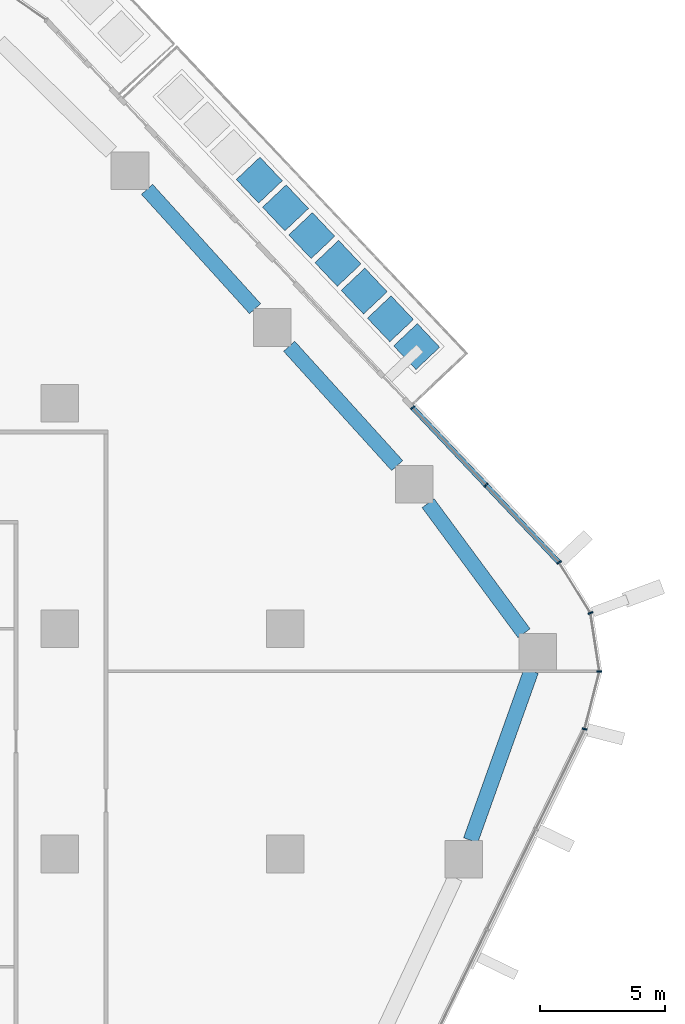
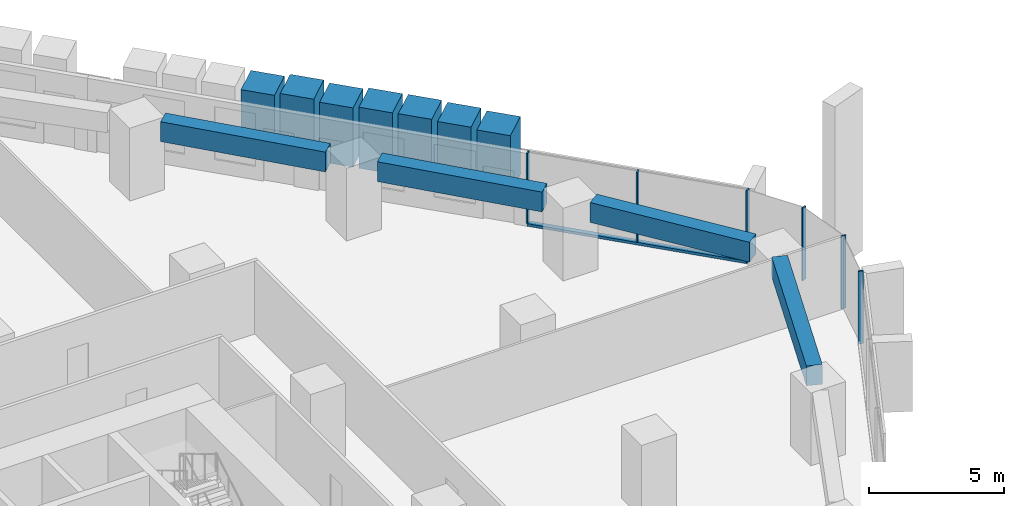
# One storey, part 8 of 25: 14 members, 4 beams, 2 elements without a shape of their own.
"""IFC4 building model written with IfcOpenShell, lengths in metres."""

from ifc_helpers import new_model, si_unit, direction, frame, origin, origin_2d, place, context, subcontext, project, spatial, rectangle, extrude, material, layer, layer_set, material_profile, profile_set, type_object, element, aggregate, save


model = new_model("IFC4")

# Units and contexts
model_context = context("Model", 3, precision=1e-05, world=origin(), true_north=direction((0.0, 1.0)))
body_context = subcontext(model_context, "Body", "Model", "MODEL_VIEW")
ifc_project = project(units=[si_unit("LENGTHUNIT", "METRE"), si_unit("AREAUNIT", "SQUARE_METRE"), si_unit("VOLUMEUNIT", "CUBIC_METRE"), si_unit("PLANEANGLEUNIT", "RADIAN"), si_unit("MASSUNIT", "GRAM", prefix="KILO")], contexts=[model_context])

# Site, building, storey
site_placement = place(None, origin())
site = spatial("IfcSite", under=ifc_project, at=site_placement, CompositionType="ELEMENT")
building_placement = place(site_placement, origin())
building = spatial("IfcBuilding", under=site, at=building_placement, Name="Dongbaek Canopy Tower", CompositionType="ELEMENT")
storey_placement = place(building_placement, frame((0.0, 0.0, 77.300048828125)))
storey = spatial("IfcBuildingStorey", under=building, at=storey_placement, Name="L15", CompositionType="ELEMENT", Elevation=77.300048828125)

# Curtain wall, members
ifc_material_1 = material(Name="Aluminium 6063-T6 pale anodised", Category="aluminium")
ifc_layer = layer(ifc_material_1, 0.199951171875)
ifc_layer_set = layer_set([ifc_layer], Name="CW-1 unitised tower curtain wall")
curtain_wall_type = type_object("IfcCurtainWallType", Name="CW-1 unitised tower curtain wall", PredefinedType="NOTDEFINED", material=ifc_layer_set)
curtain_wall_1_placement = place(storey_placement, origin())
curtain_wall_1 = element("IfcCurtainWall", 1, at=curtain_wall_1_placement, inside=storey, type_object=curtain_wall_type, Name="CW-1 curtain wall K0.1", PredefinedType="NOTDEFINED")
ifc_material_2 = material(Name="Aluminium 6063-T6 pale anodised", Category="aluminium")
ifc_material_profile_1 = material_profile(ifc_material_2, rectangle(XDim=0.199951171875, YDim=0.06005859375, at=origin_2d()), Name="CW-1 mullion 60 x 200")
ifc_profile_set_1 = profile_set([ifc_material_profile_1], Name="Aluminium 6063-T6 pale anodised")
member_type_1 = type_object("IfcMemberType", Name="CW-1 mullion 60 x 200", PredefinedType="MULLION", material=ifc_profile_set_1)
member_1_placement = place(storey_placement, frame((38.9638671875, 4.99072265625, 0.0), z_axis=(0.0, 0.0, 1.0), x_axis=(0.968574939912, -0.248721904492, 0.0)))
member_1 = element("IfcMember", 2, at=member_1_placement, type_object=member_type_1, Name="CW-1 mullion K0.1.1", PredefinedType="MULLION", context=body_context, shape_type="SweptSolid", body=[
    extrude(rectangle(XDim=0.199951171875, YDim=0.06005859375, at=origin_2d()), origin(), (0.0, 0.0, 1.0), 3.300048828125),
])
member_2_placement = place(storey_placement, frame((39.554443359375, 7.290283203125, 0.0), z_axis=(0.0, 0.0, 1.0), x_axis=(0.998769355968, -0.049596104469, 0.0)))
member_2 = element("IfcMember", 3, at=member_2_placement, type_object=member_type_1, Name="CW-1 mullion K0.1.2", PredefinedType="MULLION", context=body_context, shape_type="SweptSolid", body=[
    extrude(rectangle(XDim=0.199951171875, YDim=0.06005859375, at=origin_2d()), origin(), (0.0, 0.0, 1.0), 3.300048828125),
])
member_3_placement = place(storey_placement, frame((39.1962890625, 9.62646484375, 0.0), z_axis=(0.0, 0.0, 1.0), x_axis=(0.938038127349, 0.346532064374, 0.0)))
member_3 = element("IfcMember", 4, at=member_3_placement, type_object=member_type_1, Name="CW-1 mullion K0.1.3", PredefinedType="MULLION", context=body_context, shape_type="SweptSolid", body=[
    extrude(rectangle(XDim=0.199951171875, YDim=0.06005859375, at=origin_2d()), origin(), (0.0, 0.0, 1.0), 3.300048828125),
])
member_4_placement = place(storey_placement, frame((37.944091796875, 11.643310546875, 0.0), z_axis=(0.0, 0.0, 1.0), x_axis=(0.849575910562, 0.527466370675, 0.0)))
member_4 = element("IfcMember", 5, at=member_4_placement, type_object=member_type_1, Name="CW-1 mullion K0.1.4", PredefinedType="MULLION", context=body_context, shape_type="SweptSolid", body=[
    extrude(rectangle(XDim=0.199951171875, YDim=0.06005859375, at=origin_2d()), origin(), (0.0, 0.0, 1.0), 3.300048828125),
])
aggregate(curtain_wall_1, [member_1, member_2, member_3, member_4])

curtain_wall_2_placement = place(storey_placement, origin())
curtain_wall_2 = element("IfcCurtainWall", 6, at=curtain_wall_2_placement, inside=storey, type_object=curtain_wall_type, Name="CW-1 curtain wall F0.1", PredefinedType="NOTDEFINED")
member_5_placement = place(storey_placement, frame((35.0234375, 14.732666015625, 0.119873046875), z_axis=(0.0, 0.0, 1.0), x_axis=(0.72665252709, 0.687005170923, 0.0)))
member_5 = element("IfcMember", 7, at=member_5_placement, type_object=member_type_1, Name="CW-1 mullion F0.1.2", PredefinedType="MULLION", context=body_context, shape_type="SweptSolid", body=[
    extrude(rectangle(XDim=0.199951171875, YDim=0.06005859375, at=origin_2d()), origin(), (0.0, 0.0, 1.0), 3.18017578125),
])
member_6_placement = place(storey_placement, frame((32.095703125, 17.8291015625, 0.119873046875), z_axis=(0.0, 0.0, 1.0), x_axis=(0.72665252709, 0.687005170923, 0.0)))
member_6 = element("IfcMember", 8, at=member_6_placement, type_object=member_type_1, Name="CW-1 mullion F0.1.3", PredefinedType="MULLION", context=body_context, shape_type="SweptSolid", body=[
    extrude(rectangle(XDim=0.199951171875, YDim=0.06005859375, at=origin_2d()), origin(), (0.0, 0.0, 1.0), 3.18017578125),
])
ifc_material_3 = material(Name="Aluminium 6063-T6 pale anodised", Category="aluminium")
ifc_material_profile_2 = material_profile(ifc_material_3, rectangle(XDim=0.199951171875, YDim=0.1201171875, at=origin_2d()), Name="CW-1 transom 120 x 200")
ifc_profile_set_2 = profile_set([ifc_material_profile_2], Name="Aluminium 6063-T6 pale anodised")
member_type_2 = type_object("IfcMemberType", Name="CW-1 transom 120 x 200", PredefinedType="USERDEFINED", material=ifc_profile_set_2)
member_7_placement = place(storey_placement, frame((37.944091796875, 11.643310546875, 0.06005859375), z_axis=(-0.687011657733, 0.726646394155, 0.0), x_axis=(-0.726646394155, -0.687011657733, 0.0)))
member_7 = element("IfcMember", 9, at=member_7_placement, type_object=member_type_2, Name="CW-1 transom F0.1.1", ObjectType="TRANSOM", PredefinedType="USERDEFINED", context=body_context, shape_type="SweptSolid", body=[
    extrude(rectangle(XDim=0.199951171875, YDim=0.1201171875, at=origin_2d()), origin(), (0.0, 0.0, 1.0), 8.5126953125),
])
aggregate(curtain_wall_2, [member_5, member_6, member_7])

# Beams
ifc_material_4 = material(Name="Concrete C80", Category="concrete")
ifc_material_profile_3 = material_profile(ifc_material_4, rectangle(XDim=0.60009765625, YDim=0.89990234375, at=origin_2d()), Name="RC EDGE BEAM 600x900 C80")
ifc_profile_set_3 = profile_set([ifc_material_profile_3], Name="Concrete C80")
beam_type = type_object("IfcBeamType", Name="RC EDGE BEAM 600x900 C80", PredefinedType="BEAM", material=ifc_profile_set_3)
beam_1_placement = place(storey_placement, frame((21.484375, 26.547119140625, 2.849853515625), z_axis=(0.671288874095, -0.741195822652, 0.0), x_axis=(0.741195822652, 0.671288874095, 0.0)))
element("IfcBeam", 10, at=beam_1_placement, inside=storey, type_object=beam_type, Name="EDGEBEAM:L15:18", PredefinedType="BEAM", context=body_context, shape_type="SweptSolid", body=[
    extrude(rectangle(XDim=0.60009765625, YDim=0.89990234375, at=origin_2d()), origin(), (0.0, 0.0, 1.0), 6.432861328125),
])
beam_2_placement = place(storey_placement, frame((27.1611328125, 20.279052734375, 2.849853515625), z_axis=(0.671226318279, -0.741252473621, 0.0), x_axis=(0.741252473621, 0.671226318279, 0.0)))
element("IfcBeam", 11, at=beam_2_placement, inside=storey, type_object=beam_type, Name="EDGEBEAM:L15:19", PredefinedType="BEAM", context=body_context, shape_type="SweptSolid", body=[
    extrude(rectangle(XDim=0.60009765625, YDim=0.89990234375, at=origin_2d()), origin(), (0.0, 0.0, 1.0), 6.432373046875),
])
beam_3_placement = place(storey_placement, frame((32.71142578125, 14.010986328125, 2.849853515625), z_axis=(0.593731643304, -0.804663119411, 0.0), x_axis=(0.804663119411, 0.593731643304, 0.0)))
element("IfcBeam", 12, at=beam_3_placement, inside=storey, type_object=beam_type, Name="EDGEBEAM:L15:20", PredefinedType="BEAM", context=body_context, shape_type="SweptSolid", body=[
    extrude(rectangle(XDim=0.60009765625, YDim=0.89990234375, at=origin_2d()), origin(), (0.0, 0.0, 1.0), 6.456298828125),
])
beam_4_placement = place(storey_placement, frame((36.830078125, 7.31591796875, 2.849853515625), z_axis=(-0.336456848831, -0.941698884397, 0.0), x_axis=(0.941698884397, -0.336456848831, 0.0)))
element("IfcBeam", 13, at=beam_4_placement, inside=storey, type_object=beam_type, Name="EDGEBEAM:L15:21", PredefinedType="BEAM", context=body_context, shape_type="SweptSolid", body=[
    extrude(rectangle(XDim=0.60009765625, YDim=0.89990234375, at=origin_2d()), origin(), (0.0, 0.0, 1.0), 7.190185546875),
])

# Members
ifc_material_5 = material(Name="Concrete C40/50 planter mass with planting", Category="concrete")
ifc_material_profile_4 = material_profile(ifc_material_5, rectangle(XDim=1.300048828125, YDim=1.300048828125, at=origin_2d()), Name="Terrace PLANTER shrub mass 1300 x 1300")
ifc_profile_set_4 = profile_set([ifc_material_profile_4], Name="Concrete C40/50 planter mass with planting")
member_type_3 = type_object("IfcMemberType", Name="Terrace PLANTER shrub mass 1300 x 1300", PredefinedType="USERDEFINED", material=ifc_profile_set_4)
member_8_placement = place(storey_placement, frame((32.25439453125, 20.266845703125, 0.419921875), z_axis=(0.0, 0.0, 1.0), x_axis=(0.72665252709, 0.687005170923, 0.0)))
element("IfcMember", 14, at=member_8_placement, inside=storey, type_object=member_type_3, Name="Planter shrubs L15 1.1", ObjectType="PLANTER", PredefinedType="USERDEFINED", context=body_context, shape_type="SweptSolid", body=[
    extrude(rectangle(XDim=1.300048828125, YDim=1.300048828125, at=origin_2d()), origin(), (0.0, 0.0, 1.0), 2.650146484375),
])
member_9_placement = place(storey_placement, frame((31.20703125, 21.37451171875, 0.419921875), z_axis=(0.0, 0.0, 1.0), x_axis=(0.72665252709, 0.687005170923, 0.0)))
element("IfcMember", 15, at=member_9_placement, inside=storey, type_object=member_type_3, Name="Planter shrubs L15 1.2", ObjectType="PLANTER", PredefinedType="USERDEFINED", context=body_context, shape_type="SweptSolid", body=[
    extrude(rectangle(XDim=1.300048828125, YDim=1.300048828125, at=origin_2d()), origin(), (0.0, 0.0, 1.0), 2.72998046875),
])
member_10_placement = place(storey_placement, frame((30.15966796875, 22.482421875, 0.419921875), z_axis=(0.0, 0.0, 1.0), x_axis=(0.72665252709, 0.687005170923, 0.0)))
element("IfcMember", 16, at=member_10_placement, inside=storey, type_object=member_type_3, Name="Planter shrubs L15 1.3", ObjectType="PLANTER", PredefinedType="USERDEFINED", context=body_context, shape_type="SweptSolid", body=[
    extrude(rectangle(XDim=1.300048828125, YDim=1.300048828125, at=origin_2d()), origin(), (0.0, 0.0, 1.0), 2.780029296875),
])
member_11_placement = place(storey_placement, frame((29.1123046875, 23.590087890625, 0.419921875), z_axis=(0.0, 0.0, 1.0), x_axis=(0.72665252709, 0.687005170923, 0.0)))
element("IfcMember", 17, at=member_11_placement, inside=storey, type_object=member_type_3, Name="Planter shrubs L15 1.4", ObjectType="PLANTER", PredefinedType="USERDEFINED", context=body_context, shape_type="SweptSolid", body=[
    extrude(rectangle(XDim=1.300048828125, YDim=1.300048828125, at=origin_2d()), origin(), (0.0, 0.0, 1.0), 2.77001953125),
])
member_12_placement = place(storey_placement, frame((28.06494140625, 24.697998046875, 0.419921875), z_axis=(0.0, 0.0, 1.0), x_axis=(0.72665252709, 0.687005170923, 0.0)))
element("IfcMember", 18, at=member_12_placement, inside=storey, type_object=member_type_3, Name="Planter shrubs L15 1.5", ObjectType="PLANTER", PredefinedType="USERDEFINED", context=body_context, shape_type="SweptSolid", body=[
    extrude(rectangle(XDim=1.300048828125, YDim=1.300048828125, at=origin_2d()), origin(), (0.0, 0.0, 1.0), 2.68994140625),
])
member_13_placement = place(storey_placement, frame((27.017578125, 25.805908203125, 0.419921875), z_axis=(0.0, 0.0, 1.0), x_axis=(0.72665252709, 0.687005170923, 0.0)))
element("IfcMember", 19, at=member_13_placement, inside=storey, type_object=member_type_3, Name="Planter shrubs L15 1.6", ObjectType="PLANTER", PredefinedType="USERDEFINED", context=body_context, shape_type="SweptSolid", body=[
    extrude(rectangle(XDim=1.300048828125, YDim=1.300048828125, at=origin_2d()), origin(), (0.0, 0.0, 1.0), 2.780029296875),
])
member_14_placement = place(storey_placement, frame((25.97021484375, 26.91357421875, 0.419921875), z_axis=(0.0, 0.0, 1.0), x_axis=(0.72665252709, 0.687005170923, 0.0)))
element("IfcMember", 20, at=member_14_placement, inside=storey, type_object=member_type_3, Name="Planter shrubs L15 1.7", ObjectType="PLANTER", PredefinedType="USERDEFINED", context=body_context, shape_type="SweptSolid", body=[
    extrude(rectangle(XDim=1.300048828125, YDim=1.300048828125, at=origin_2d()), origin(), (0.0, 0.0, 1.0), 2.650146484375),
])

save(model, "model.ifc")
